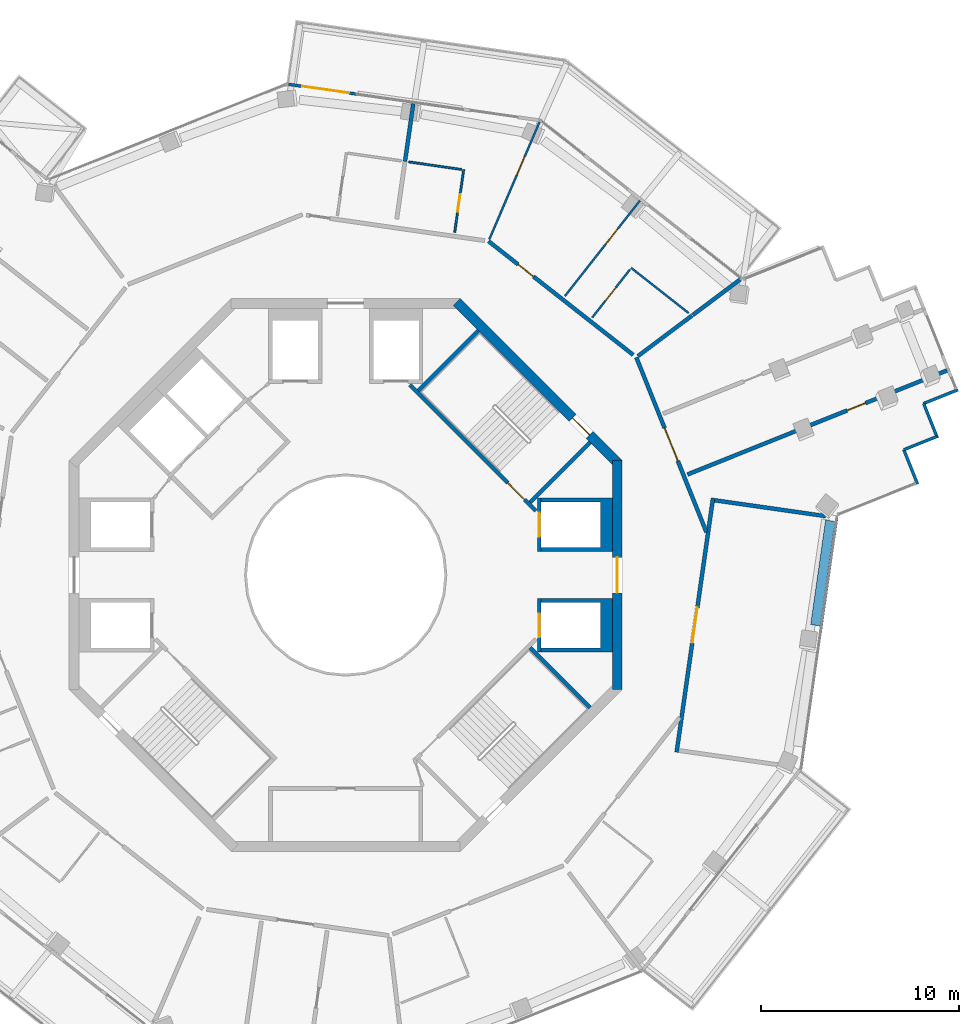
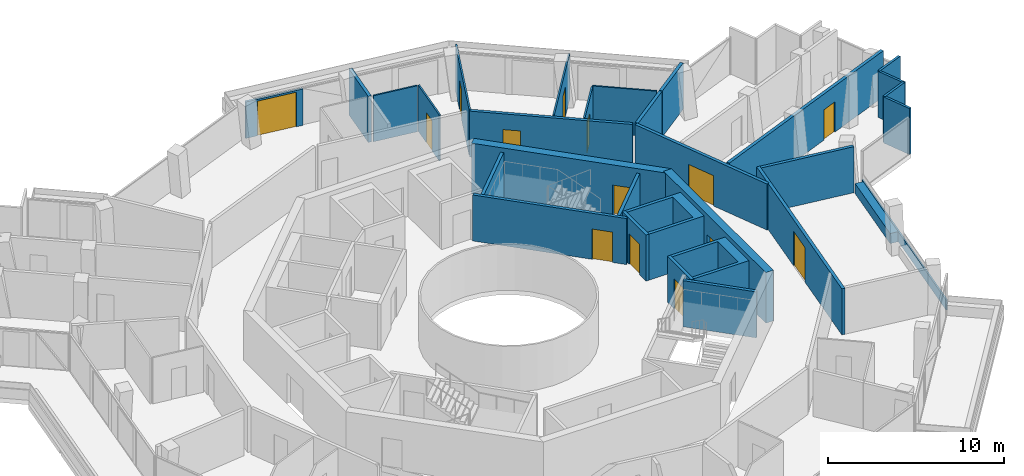
# One storey, part 19 of 23: 31 walls, 14 doors, 14 openings.
"""IFC4 building model written with IfcOpenShell, lengths in metres."""

from ifc_helpers import new_model, si_unit, direction, frame, frame_2d, origin, place, context, subcontext, project, spatial, polyline, rectangle, outline, extrude, material, layer, layer_set, type_object, element, fill, save


model = new_model("IFC4")

# Units and contexts
model_context = context("Model", 3, precision=1e-05, world=origin(), true_north=direction((0.0, 1.0)))
body_context = subcontext(model_context, "Body", "Model", "MODEL_VIEW")
ifc_project = project(units=[si_unit("LENGTHUNIT", "METRE"), si_unit("AREAUNIT", "SQUARE_METRE"), si_unit("VOLUMEUNIT", "CUBIC_METRE"), si_unit("PLANEANGLEUNIT", "RADIAN"), si_unit("MASSUNIT", "GRAM", prefix="KILO")], contexts=[model_context])

# Site, building, storey
site_placement = place(None, origin())
site = spatial("IfcSite", under=ifc_project, at=site_placement, CompositionType="ELEMENT")
building_placement = place(site_placement, origin())
building = spatial("IfcBuilding", under=site, at=building_placement, Name="Verdalira Terraces Hotel", CompositionType="ELEMENT")
storey_placement = place(building_placement, frame((0.0, 0.0, 244.5)))
storey = spatial("IfcBuildingStorey", under=building, at=storey_placement, Name="L60", CompositionType="ELEMENT", Elevation=244.5)

# Wall
ifc_material_1 = material(Name="Moisture-resistant gypsum board partition")
ifc_layer_1 = layer(ifc_material_1, 0.10009765625)
ifc_layer_set_1 = layer_set([ifc_layer_1], Name="Bathroom partition 100 mm")
wall_type_1 = type_object("IfcWallType", Name="Bathroom partition 100 mm", PredefinedType="PARTITIONING", material=ifc_layer_set_1)
wall_1_placement = place(storey_placement, frame((5.873779, 20.532471, 0.0), z_axis=(0.0, 0.0, 1.0), x_axis=(-0.989871579, 0.141965687, 0.0)))
element("IfcWall", 1, at=wall_1_placement, inside=storey, type_object=wall_type_1, Name="Bathroom partition", PredefinedType="PARTITIONING", context=body_context, shape_type="SweptSolid", body=[
    extrude(rectangle(XDim=2.699951, YDim=0.100098, at=frame_2d((1.350098, 0.0))), origin(), (0.0, 0.0, 1.0), 3.189941),
])

# Wall, opening, door
wall_2_placement = place(storey_placement, frame((5.518555, 17.350586, 0.0), z_axis=(0.0, 0.0, 1.0), x_axis=(0.141976729, 0.989869996, 0.0)))
wall_2 = element("IfcWall", 2, at=wall_2_placement, inside=storey, type_object=wall_type_1, Name="Bathroom partition", PredefinedType="PARTITIONING", context=body_context, shape_type="SweptSolid", body=[
    extrude(rectangle(XDim=3.200195, YDim=0.100098, at=frame_2d((1.600098, 0.0))), origin(), (0.0, 0.0, 1.0), 3.189941),
])
opening_1_placement = place(wall_2_placement, frame((1.050049, 0.0, 0.0)))
opening_1 = element("IfcOpeningElement", 3, at=opening_1_placement, cuts=wall_2, Name="Opening L60-126", PredefinedType="OPENING", context=body_context, shape_type="SweptSolid", body=[
    extrude(rectangle(XDim=0.899902, YDim=2.100098, at=frame_2d((0.449951, 1.050049))), frame((0.0, 0.060059, 0.0), z_axis=(0.0, -1.0, 0.0), x_axis=(1.0, 0.0, 0.0)), (0.0, 0.0, 1.0), 0.120117),
])
ifc_material_2 = material(Name="Timber door", Category="wood")
door_type_1 = type_object("IfcDoorType", Name="Bathroom door 900 x 2100", OperationType="NOTDEFINED", PredefinedType="DOOR", material=ifc_material_2)
door_1_placement = place(opening_1_placement, origin())
door_1 = element("IfcDoor", 4, at=door_1_placement, inside=storey, type_object=door_type_1, Name="Bathroom door 6009", OperationType="SINGLE_SWING_RIGHT", OverallHeight=2.10009765625, OverallWidth=0.89990234375, PredefinedType="DOOR", context=body_context, shape_type="SweptSolid", body=[
    extrude(rectangle(XDim=0.899902, YDim=2.100098, at=frame_2d((0.449951, 1.050049))), frame((0.0, 0.024902, 0.0), z_axis=(0.0, -1.0, 0.0), x_axis=(1.0, 0.0, 0.0)), (0.0, 0.0, 1.0), 0.050049),
])
fill(opening_1, door_1)

wall_3_placement = place(storey_placement, frame((7.271484, 16.998291, 0.0), z_axis=(0.0, 0.0, 1.0), x_axis=(0.393295843, 0.919411975, 0.0)))
wall_3 = element("IfcWall", 5, at=wall_3_placement, inside=storey, type_object=wall_type_1, Name="Bathroom partition", PredefinedType="PARTITIONING", context=body_context, shape_type="SweptSolid", body=[
    extrude(rectangle(XDim=6.47583, YDim=0.100098, at=frame_2d((3.237793, 0.0))), origin(), (0.0, 0.0, 1.0), 3.189941),
])
opening_2_placement = place(wall_3_placement, frame((3.550049, 0.0, 0.0)))
opening_2 = element("IfcOpeningElement", 6, at=opening_2_placement, cuts=wall_3, Name="Opening L60-124", PredefinedType="OPENING", context=body_context, shape_type="SweptSolid", body=[
    extrude(rectangle(XDim=1.0, YDim=2.100098, at=frame_2d((0.5, 1.050049))), frame((0.0, 0.060059, 0.0), z_axis=(0.0, -1.0, 0.0), x_axis=(1.0, 0.0, 0.0)), (0.0, 0.0, 1.0), 0.120117),
])
ifc_material_3 = material(Name="Timber door", Category="wood")
door_type_2 = type_object("IfcDoorType", Name="Suite internal door 1000 x 2100", OperationType="NOTDEFINED", PredefinedType="DOOR", material=ifc_material_3)
door_2_placement = place(opening_2_placement, origin())
door_2 = element("IfcDoor", 7, at=door_2_placement, inside=storey, type_object=door_type_2, Name="Suite internal door 6009", OperationType="SINGLE_SWING_LEFT", OverallHeight=2.10009765625, OverallWidth=1.0, PredefinedType="DOOR", context=body_context, shape_type="SweptSolid", body=[
    extrude(rectangle(XDim=1.0, YDim=2.100098, at=frame_2d((0.5, 1.050049))), frame((0.0, 0.024902, 0.0), z_axis=(0.0, -1.0, 0.0), x_axis=(1.0, 0.0, 0.0)), (0.0, 0.0, 1.0), 0.050049),
])
fill(opening_2, door_2)

wall_4_placement = place(storey_placement, frame((14.895508, 18.956055, 0.0), z_axis=(0.0, 0.0, 1.0), x_axis=(-0.617854862, -0.786292165, 0.0)))
wall_4 = element("IfcWall", 8, at=wall_4_placement, inside=storey, type_object=wall_type_1, Name="Bathroom partition", PredefinedType="PARTITIONING", context=body_context, shape_type="SweptSolid", body=[
    extrude(rectangle(XDim=6.149902, YDim=0.100098, at=frame_2d((3.074951, 0.0))), origin(), (0.0, 0.0, 1.0), 3.189941),
])
opening_3_placement = place(wall_4_placement, frame((1.800049, 0.0, 0.0)))
opening_3 = element("IfcOpeningElement", 9, at=opening_3_placement, cuts=wall_4, Name="Opening L60-123", PredefinedType="OPENING", context=body_context, shape_type="SweptSolid", body=[
    extrude(rectangle(XDim=1.0, YDim=2.100098, at=frame_2d((0.5, 1.050049))), frame((0.0, 0.060059, 0.0), z_axis=(0.0, -1.0, 0.0), x_axis=(1.0, 0.0, 0.0)), (0.0, 0.0, 1.0), 0.120117),
])
door_3_placement = place(opening_3_placement, origin())
door_3 = element("IfcDoor", 10, at=door_3_placement, inside=storey, type_object=door_type_2, Name="Suite internal door 6009", OperationType="SINGLE_SWING_LEFT", OverallHeight=2.10009765625, OverallWidth=1.0, PredefinedType="DOOR", context=body_context, shape_type="SweptSolid", body=[
    extrude(rectangle(XDim=1.0, YDim=2.100098, at=frame_2d((0.5, 1.050049))), frame((0.0, 0.024902, 0.0), z_axis=(0.0, -1.0, 0.0), x_axis=(1.0, 0.0, 0.0)), (0.0, 0.0, 1.0), 0.050049),
])
fill(opening_3, door_3)

wall_5_placement = place(storey_placement, frame((14.393555, 15.471436, 0.0), z_axis=(0.0, 0.0, 1.0), x_axis=(-0.617842421, -0.786301941, 0.0)))
wall_5 = element("IfcWall", 11, at=wall_5_placement, inside=storey, type_object=wall_type_1, Name="Bathroom partition", PredefinedType="PARTITIONING", context=body_context, shape_type="SweptSolid", body=[
    extrude(rectangle(XDim=3.099854, YDim=0.100098, at=frame_2d((1.549805, 0.0))), origin(), (0.0, 0.0, 1.0), 3.189941),
])
opening_4_placement = place(wall_5_placement, frame((1.149902, 0.0, 0.0)))
opening_4 = element("IfcOpeningElement", 12, at=opening_4_placement, cuts=wall_5, Name="Opening L60-125", PredefinedType="OPENING", context=body_context, shape_type="SweptSolid", body=[
    extrude(rectangle(XDim=0.899902, YDim=2.100098, at=frame_2d((0.449951, 1.050049))), frame((0.0, 0.060059, 0.0), z_axis=(0.0, -1.0, 0.0), x_axis=(1.0, 0.0, 0.0)), (0.0, 0.0, 1.0), 0.120117),
])
door_4_placement = place(opening_4_placement, origin())
door_4 = element("IfcDoor", 13, at=door_4_placement, inside=storey, type_object=door_type_1, Name="Bathroom door 6009", OperationType="SINGLE_SWING_LEFT", OverallHeight=2.10009765625, OverallWidth=0.89990234375, PredefinedType="DOOR", context=body_context, shape_type="SweptSolid", body=[
    extrude(rectangle(XDim=0.899902, YDim=2.100098, at=frame_2d((0.449951, 1.050049))), frame((0.0, 0.024902, 0.0), z_axis=(0.0, -1.0, 0.0), x_axis=(1.0, 0.0, 0.0)), (0.0, 0.0, 1.0), 0.050049),
])
fill(opening_4, door_4)

# Walls
wall_6_placement = place(storey_placement, frame((17.36792, 13.261719, 0.0), z_axis=(0.0, 0.0, 1.0), x_axis=(-0.786336636, 0.617798264, 0.0)))
element("IfcWall", 14, at=wall_6_placement, inside=storey, type_object=wall_type_1, Name="Bathroom partition", PredefinedType="PARTITIONING", context=body_context, shape_type="SweptSolid", body=[
    extrude(rectangle(XDim=3.704102, YDim=0.100098, at=frame_2d((1.852051, 0.0))), origin(), (0.0, 0.0, 1.0), 3.189941),
])
ifc_material_4 = material(Name="Concrete C50", Category="concrete")
ifc_layer_2 = layer(ifc_material_4, 0.199951171875)
ifc_layer_set_2 = layer_set([ifc_layer_2], Name="Core RC wall 200 C50")
wall_type_2 = type_object("IfcWallType", Name="Core RC wall 200 C50", PredefinedType="SOLIDWALL", material=ifc_layer_set_2)
wall_7_placement = place(storey_placement, origin())
element("IfcWall", 15, at=wall_7_placement, inside=storey, type_object=wall_type_2, Name="L60 shaft wall E1", PredefinedType="SOLIDWALL", context=body_context, shape_type="SweptSolid", body=[
    extrude(outline(polyline([(13.5, -3.899902), (9.899902, -3.899902), (9.899902, -3.699951), (12.899902, -3.699951), (12.899902, -1.399902), (9.899902, -1.399902), (9.899902, -1.199951), (13.5, -1.199951), (13.5, -3.899902)])), origin(), (0.0, 0.0, 1.0), 3.189941),
])

# Wall, opening, door
wall_8_placement = place(storey_placement, frame((9.800049, -1.199951, 0.0), z_axis=(0.0, 0.0, 1.0), x_axis=(0.0, -1.0, 0.0)))
wall_8 = element("IfcWall", 16, at=wall_8_placement, inside=storey, type_object=wall_type_2, Name="L60 shaft front wall E1", PredefinedType="SOLIDWALL", context=body_context, shape_type="SweptSolid", body=[
    extrude(rectangle(XDim=2.699951, YDim=0.199951, at=frame_2d((1.350098, 0.0))), origin(), (0.0, 0.0, 1.0), 3.189941),
])
opening_5_placement = place(wall_8_placement, frame((0.75, 0.0, 0.0)))
opening_5 = element("IfcOpeningElement", 17, at=opening_5_placement, cuts=wall_8, Name="Opening LD-L60-802", PredefinedType="OPENING", context=body_context, shape_type="SweptSolid", body=[
    extrude(rectangle(XDim=1.199951, YDim=2.100098, at=frame_2d((0.600098, 1.050049))), frame((0.0, 0.109863, 0.0), z_axis=(0.0, -1.0, 0.0), x_axis=(1.0, 0.0, 0.0)), (0.0, 0.0, 1.0), 0.219971),
])
ifc_material_5 = material(Name="Stainless steel", Category="steel")
door_type_3 = type_object("IfcDoorType", Name="Landing door 1200 x 2100", OperationType="NOTDEFINED", PredefinedType="DOOR", material=ifc_material_5)
door_5_placement = place(opening_5_placement, origin())
door_5 = element("IfcDoor", 18, at=door_5_placement, inside=storey, type_object=door_type_3, Name="Lift landing door HR1 L60", OperationType="DOUBLE_DOOR_SLIDING", OverallHeight=2.10009765625, OverallWidth=1.199951171875, PredefinedType="DOOR", context=body_context, shape_type="SweptSolid", body=[
    extrude(rectangle(XDim=1.199951, YDim=2.100098, at=frame_2d((0.600098, 1.050049))), frame((0.0, 0.024902, 0.0), z_axis=(0.0, -1.0, 0.0), x_axis=(1.0, 0.0, 0.0)), (0.0, 0.0, 1.0), 0.050049),
])
fill(opening_5, door_5)

# Wall
wall_9_placement = place(storey_placement, origin())
element("IfcWall", 19, at=wall_9_placement, inside=storey, type_object=wall_type_2, Name="L60 shaft wall E2", PredefinedType="SOLIDWALL", context=body_context, shape_type="SweptSolid", body=[
    extrude(outline(polyline([(13.5, 3.899902), (13.5, 1.199951), (9.899902, 1.199951), (9.899902, 1.399902), (12.899902, 1.399902), (12.899902, 3.699951), (9.899902, 3.699951), (9.899902, 3.899902), (13.5, 3.899902)])), origin(), (0.0, 0.0, 1.0), 3.189941),
])

# Wall, opening, door
wall_10_placement = place(storey_placement, frame((9.800049, 1.199951, 0.0), z_axis=(0.0, 0.0, 1.0), x_axis=(0.0, 1.0, 0.0)))
wall_10 = element("IfcWall", 20, at=wall_10_placement, inside=storey, type_object=wall_type_2, Name="L60 shaft front wall E2", PredefinedType="SOLIDWALL", context=body_context, shape_type="SweptSolid", body=[
    extrude(rectangle(XDim=2.699951, YDim=0.199951, at=frame_2d((1.350098, 0.0))), origin(), (0.0, 0.0, 1.0), 3.189941),
])
opening_6_placement = place(wall_10_placement, frame((0.75, 0.0, 0.0)))
opening_6 = element("IfcOpeningElement", 21, at=opening_6_placement, cuts=wall_10, Name="Opening LD-L60-803", PredefinedType="OPENING", context=body_context, shape_type="SweptSolid", body=[
    extrude(rectangle(XDim=1.199951, YDim=2.100098, at=frame_2d((0.600098, 1.050049))), frame((0.0, 0.109863, 0.0), z_axis=(0.0, -1.0, 0.0), x_axis=(1.0, 0.0, 0.0)), (0.0, 0.0, 1.0), 0.219971),
])
door_6_placement = place(opening_6_placement, origin())
door_6 = element("IfcDoor", 22, at=door_6_placement, inside=storey, type_object=door_type_3, Name="Lift landing door HR2 L60", OperationType="DOUBLE_DOOR_SLIDING", OverallHeight=2.10009765625, OverallWidth=1.199951171875, PredefinedType="DOOR", context=body_context, shape_type="SweptSolid", body=[
    extrude(rectangle(XDim=1.199951, YDim=2.100098, at=frame_2d((0.600098, 1.050049))), frame((0.0, 0.024902, 0.0), z_axis=(0.0, -1.0, 0.0), x_axis=(1.0, 0.0, 0.0)), (0.0, 0.0, 1.0), 0.050049),
])
fill(opening_6, door_6)

wall_11_placement = place(storey_placement, frame((3.23999, 9.629395, 0.0), z_axis=(0.0, 0.0, 1.0), x_axis=(0.707106781, -0.707106781, 0.0)))
wall_11 = element("IfcWall", 23, at=wall_11_placement, inside=storey, type_object=wall_type_2, Name="L60 stair ST1 front wall", PredefinedType="SOLIDWALL", context=body_context, shape_type="SweptSolid", body=[
    extrude(rectangle(XDim=9.035889, YDim=0.199951, at=frame_2d((4.518066, 0.0))), origin(), (0.0, 0.0, 1.0), 3.189941),
])
opening_7_placement = place(wall_11_placement, frame((7.017822, 0.0, 0.0)))
opening_7 = element("IfcOpeningElement", 24, at=opening_7_placement, cuts=wall_11, Name="Opening L60-810", PredefinedType="OPENING", context=body_context, shape_type="SweptSolid", body=[
    extrude(rectangle(XDim=1.199951, YDim=2.100098, at=frame_2d((0.600098, 1.050049))), frame((0.0, 0.109863, 0.0), z_axis=(0.0, -1.0, 0.0), x_axis=(1.0, 0.0, 0.0)), (0.0, 0.0, 1.0), 0.219971),
])
ifc_material_6 = material(Name="Steel fire door", Category="steel")
door_type_4 = type_object("IfcDoorType", Name="Stair door 1200 x 2100", OperationType="NOTDEFINED", PredefinedType="DOOR", material=ifc_material_6)
door_7_placement = place(opening_7_placement, origin())
door_7 = element("IfcDoor", 25, at=door_7_placement, inside=storey, type_object=door_type_4, Name="Stair door ST1 L60", OperationType="SINGLE_SWING_RIGHT", OverallHeight=2.10009765625, OverallWidth=1.199951171875, PredefinedType="DOOR", context=body_context, shape_type="SweptSolid", body=[
    extrude(rectangle(XDim=1.199951, YDim=2.100098, at=frame_2d((0.600098, 1.050049))), frame((0.0, 0.024902, 0.0), z_axis=(0.0, -1.0, 0.0), x_axis=(1.0, 0.0, 0.0)), (0.0, 0.0, 1.0), 0.050049),
])
fill(opening_7, door_7)

# Walls
for number, where, z_axis, x_axis, name in (
    (26, (9.33374, 3.677002, 0.0), (0.0, 0.0, 1.0), (0.707135168, 0.707078393, 0.0), "L60 stair ST1 end wall 1"),
    (27, (3.677002, 9.33374, 0.0), (0.0, 0.0, 1.0), (0.707078393, 0.707135168, 0.0), "L60 stair ST1 end wall 2"),
    (28, (9.33374, -3.677002, 0.0), (0.0, 0.0, 1.0), (0.707135168, -0.707078393, 0.0), "L60 stair ST3 end wall 2"),
):
    element("IfcWall", number, at=place(storey_placement, frame(where, z_axis=z_axis, x_axis=x_axis)), inside=storey, type_object=wall_type_2, Name=name, PredefinedType="SOLIDWALL", context=body_context, shape_type="SweptSolid", body=[
        extrude(rectangle(XDim=4.300049, YDim=0.199951, at=frame_2d((2.149902, 0.0))), origin(), (0.0, 0.0, 1.0), 3.189941),
    ])

# Wall, opening, door
ifc_material_7 = material(Name="Concrete C50", Category="concrete")
ifc_layer_3 = layer(ifc_material_7, 0.5)
ifc_layer_set_3 = layer_set([ifc_layer_3], Name="Core wall 500 C50")
wall_type_3 = type_object("IfcWallType", Name="Core wall 500 C50", PredefinedType="SHEAR", material=ifc_layer_set_3)
wall_12_placement = place(storey_placement, frame((13.75, -5.799072, 0.0), z_axis=(0.0, 0.0, 1.0), x_axis=(0.0, 1.0, 0.0)))
wall_12 = element("IfcWall", 29, at=wall_12_placement, inside=storey, type_object=wall_type_3, Name="Core wall CW-L60-1", PredefinedType="SHEAR", context=body_context, shape_type="SweptSolid", body=[
    extrude(rectangle(XDim=11.598145, YDim=0.5, at=frame_2d((5.799072, 0.0))), origin(), (0.0, 0.0, 1.0), 3.5),
])
opening_8_placement = place(wall_12_placement, frame((4.898926, 0.0, 0.0)))
opening_8 = element("IfcOpeningElement", 30, at=opening_8_placement, cuts=wall_12, Name="Opening L60-813", PredefinedType="OPENING", context=body_context, shape_type="SweptSolid", body=[
    extrude(rectangle(XDim=1.800049, YDim=2.100098, at=frame_2d((0.899902, 1.050049))), frame((0.0, 0.26001, 0.0), z_axis=(0.0, -1.0, 0.0), x_axis=(1.0, 0.0, 0.0)), (0.0, 0.0, 1.0), 0.52002),
])
ifc_material_8 = material(Name="Steel fire door", Category="steel")
door_type_5 = type_object("IfcDoorType", Name="Core entry door pair 1800 x 2100", OperationType="NOTDEFINED", PredefinedType="DOOR", material=ifc_material_8)
door_8_placement = place(opening_8_placement, origin())
door_8 = element("IfcDoor", 31, at=door_8_placement, inside=storey, type_object=door_type_5, Name="Core entry door L60 0", OperationType="DOUBLE_DOOR_SINGLE_SWING", OverallHeight=2.10009765625, OverallWidth=1.800048828125, PredefinedType="DOOR", context=body_context, shape_type="SweptSolid", body=[
    extrude(rectangle(XDim=1.800049, YDim=2.100098, at=frame_2d((0.899902, 1.050049))), frame((0.0, 0.024902, 0.0), z_axis=(0.0, -1.0, 0.0), x_axis=(1.0, 0.0, 0.0)), (0.0, 0.0, 1.0), 0.050049),
])
fill(opening_8, door_8)

wall_13_placement = place(storey_placement, frame((13.823242, 5.622314, 0.0), z_axis=(0.0, 0.0, 1.0), x_axis=(-0.707106781, 0.707106781, 0.0)))
wall_13 = element("IfcWall", 32, at=wall_13_placement, inside=storey, type_object=wall_type_3, Name="Core wall CW-L60-2", PredefinedType="SHEAR", context=body_context, shape_type="SweptSolid", body=[
    extrude(rectangle(XDim=11.5979, YDim=0.5, at=frame_2d((5.798828, 0.0))), origin(), (0.0, 0.0, 1.0), 3.5),
])
opening_9_placement = place(wall_13_placement, frame((2.099121, 0.0, 0.0)))
opening_9 = element("IfcOpeningElement", 33, at=opening_9_placement, cuts=wall_13, Name="Opening L60-816", PredefinedType="OPENING", context=body_context, shape_type="SweptSolid", body=[
    extrude(rectangle(XDim=1.199951, YDim=2.100098, at=frame_2d((0.600098, 1.050049))), frame((0.0, 0.26001, 0.0), z_axis=(0.0, -1.0, 0.0), x_axis=(1.0, 0.0, 0.0)), (0.0, 0.0, 1.0), 0.52002),
])
door_9_placement = place(opening_9_placement, origin())
door_9 = element("IfcDoor", 34, at=door_9_placement, inside=storey, type_object=door_type_4, Name="Stair exit door ST1 L60", OperationType="SINGLE_SWING_LEFT", OverallHeight=2.10009765625, OverallWidth=1.199951171875, PredefinedType="DOOR", context=body_context, shape_type="SweptSolid", body=[
    extrude(rectangle(XDim=1.199951, YDim=2.100098, at=frame_2d((0.600098, 1.050049))), frame((0.0, 0.024902, 0.0), z_axis=(0.0, -1.0, 0.0), x_axis=(1.0, 0.0, 0.0)), (0.0, 0.0, 1.0), 0.050049),
])
fill(opening_9, door_9)

# Walls
ifc_material_9 = material(Name="Fire-rated gypsum board wall")
ifc_layer_4 = layer(ifc_material_9, 0.199951171875)
ifc_layer_set_4 = layer_set([ifc_layer_4], Name="Demising wall 200 mm")
wall_type_4 = type_object("IfcWallType", Name="Demising wall 200 mm", PredefinedType="SOLIDWALL", material=ifc_layer_set_4)
wall_14_placement = place(storey_placement, frame((3.003174, 20.944092, 0.0), z_axis=(0.0, 0.0, 1.0), x_axis=(0.141931131, 0.989876535, 0.0)))
element("IfcWall", 35, at=wall_14_placement, inside=storey, type_object=wall_type_4, Name="Demising wall", PredefinedType="SOLIDWALL", context=body_context, shape_type="SweptSolid", body=[
    extrude(rectangle(XDim=2.949951, YDim=0.199951, at=frame_2d((1.475098, 0.0))), origin(), (0.0, 0.0, 1.0), 3.189941),
])
wall_15_placement = place(storey_placement, frame((14.796387, 11.085205, 0.0), z_axis=(0.0, 0.0, 1.0), x_axis=(0.800291284, 0.599611424, 0.0)))
element("IfcWall", 36, at=wall_15_placement, inside=storey, type_object=wall_type_4, Name="Demising wall", PredefinedType="SOLIDWALL", context=body_context, shape_type="SweptSolid", body=[
    extrude(rectangle(XDim=3.418457, YDim=0.199951, at=frame_2d((1.709229, 0.0))), origin(), (0.0, 0.0, 1.0), 3.189941),
])
wall_16_placement = place(storey_placement, frame((17.569092, 13.162354, 0.0), z_axis=(0.0, 0.0, 1.0), x_axis=(0.800282049, 0.59962375, 0.0)))
element("IfcWall", 37, at=wall_16_placement, inside=storey, type_object=wall_type_4, Name="Demising wall", PredefinedType="SOLIDWALL", context=body_context, shape_type="SweptSolid", body=[
    extrude(rectangle(XDim=3.01123, YDim=0.199951, at=frame_2d((1.505615, 0.0))), origin(), (0.0, 0.0, 1.0), 3.189941),
])

# Wall, opening, door
wall_17_placement = place(storey_placement, frame((30.450195, 10.36084, 0.0), z_axis=(0.0, 0.0, 1.0), x_axis=(-0.928224405, -0.37202077, 0.0)))
wall_17 = element("IfcWall", 38, at=wall_17_placement, inside=storey, type_object=wall_type_4, Name="Demising wall", PredefinedType="SOLIDWALL", context=body_context, shape_type="SweptSolid", body=[
    extrude(rectangle(XDim=14.160645, YDim=0.199951, at=frame_2d((7.080322, 0.0))), origin(), (0.0, 0.0, 1.0), 3.189941),
])
opening_10_placement = place(wall_17_placement, frame((4.449951, 0.0, 0.0)))
opening_10 = element("IfcOpeningElement", 39, at=opening_10_placement, cuts=wall_17, Name="Opening L60-120", PredefinedType="OPENING", context=body_context, shape_type="SweptSolid", body=[
    extrude(rectangle(XDim=1.0, YDim=2.100098, at=frame_2d((0.5, 1.050049))), frame((0.0, 0.109863, 0.0), z_axis=(0.0, -1.0, 0.0), x_axis=(1.0, 0.0, 0.0)), (0.0, 0.0, 1.0), 0.219971),
])
ifc_material_10 = material(Name="Timber fire door", Category="wood")
door_type_6 = type_object("IfcDoorType", Name="Public room door 1000 x 2100", OperationType="NOTDEFINED", PredefinedType="DOOR", material=ifc_material_10)
door_10_placement = place(opening_10_placement, origin())
door_10 = element("IfcDoor", 40, at=door_10_placement, inside=storey, type_object=door_type_6, Name="Public room door 6008", OperationType="SINGLE_SWING_LEFT", OverallHeight=2.10009765625, OverallWidth=1.0, PredefinedType="DOOR", context=body_context, shape_type="SweptSolid", body=[
    extrude(rectangle(XDim=1.0, YDim=2.100098, at=frame_2d((0.5, 1.050049))), frame((0.0, 0.024902, 0.0), z_axis=(0.0, -1.0, 0.0), x_axis=(1.0, 0.0, 0.0)), (0.0, 0.0, 1.0), 0.050049),
])
fill(opening_10, door_10)

ifc_material_11 = material(Name="Fire-rated gypsum board wall")
ifc_layer_5 = layer(ifc_material_11, 0.199951171875)
ifc_layer_set_5 = layer_set([ifc_layer_5], Name="Guest corridor wall 200 mm")
wall_type_5 = type_object("IfcWallType", Name="Guest corridor wall 200 mm", PredefinedType="SOLIDWALL", material=ifc_layer_set_5)
wall_18_placement = place(storey_placement, frame((7.230713, 16.903076, 0.0), z_axis=(0.0, 0.0, 1.0), x_axis=(0.786294696, -0.617851641, 0.0)))
wall_18 = element("IfcWall", 41, at=wall_18_placement, inside=storey, type_object=wall_type_5, Name="Guest corridor wall", PredefinedType="SOLIDWALL", context=body_context, shape_type="SweptSolid", body=[
    extrude(rectangle(XDim=9.31665, YDim=0.199951, at=frame_2d((4.658203, 0.0))), origin(), (0.0, 0.0, 1.0), 3.189941),
])
opening_11_placement = place(wall_18_placement, frame((1.899902, 0.0, 0.0)))
opening_11 = element("IfcOpeningElement", 42, at=opening_11_placement, cuts=wall_18, Name="Opening L60-122", PredefinedType="OPENING", context=body_context, shape_type="SweptSolid", body=[
    extrude(rectangle(XDim=1.0, YDim=2.100098, at=frame_2d((0.5, 1.050049))), frame((0.0, 0.109863, 0.0), z_axis=(0.0, -1.0, 0.0), x_axis=(1.0, 0.0, 0.0)), (0.0, 0.0, 1.0), 0.219971),
])
ifc_material_12 = material(Name="Timber fire door", Category="wood")
door_type_7 = type_object("IfcDoorType", Name="Guest entry door 1000 x 2100", OperationType="NOTDEFINED", PredefinedType="DOOR", material=ifc_material_12)
door_11_placement = place(opening_11_placement, origin())
door_11 = element("IfcDoor", 43, at=door_11_placement, inside=storey, type_object=door_type_7, Name="Guest entry door 6009", OperationType="SINGLE_SWING_LEFT", OverallHeight=2.10009765625, OverallWidth=1.0, PredefinedType="DOOR", context=body_context, shape_type="SweptSolid", body=[
    extrude(rectangle(XDim=1.0, YDim=2.100098, at=frame_2d((0.5, 1.050049))), frame((0.0, 0.024902, 0.0), z_axis=(0.0, -1.0, 0.0), x_axis=(1.0, 0.0, 0.0)), (0.0, 0.0, 1.0), 0.050049),
])
fill(opening_11, door_11)

wall_19_placement = place(storey_placement, frame((14.713623, 11.023193, 0.0), z_axis=(0.0, 0.0, 1.0), x_axis=(0.372017347, -0.928225777, 0.0)))
wall_19 = element("IfcWall", 44, at=wall_19_placement, inside=storey, type_object=wall_type_5, Name="Guest corridor wall", PredefinedType="SOLIDWALL", context=body_context, shape_type="SweptSolid", body=[
    extrude(rectangle(XDim=9.536865, YDim=0.199951, at=frame_2d((4.768555, 0.0))), origin(), (0.0, 0.0, 1.0), 3.189941),
])
opening_12_placement = place(wall_19_placement, frame((3.854248, 0.0, 0.0)))
opening_12 = element("IfcOpeningElement", 45, at=opening_12_placement, cuts=wall_19, Name="Opening L60-119", PredefinedType="OPENING", context=body_context, shape_type="SweptSolid", body=[
    extrude(rectangle(XDim=1.800049, YDim=2.100098, at=frame_2d((0.899902, 1.050049))), frame((0.0, 0.109863, 0.0), z_axis=(0.0, -1.0, 0.0), x_axis=(1.0, 0.0, 0.0)), (0.0, 0.0, 1.0), 0.219971),
])
ifc_material_13 = material(Name="Timber fire door", Category="wood")
door_type_8 = type_object("IfcDoorType", Name="Public room double door 1800 x 2100", OperationType="NOTDEFINED", PredefinedType="DOOR", material=ifc_material_13)
door_12_placement = place(opening_12_placement, origin())
door_12 = element("IfcDoor", 46, at=door_12_placement, inside=storey, type_object=door_type_8, Name="Public room double door 6008", OperationType="DOUBLE_DOOR_SINGLE_SWING", OverallHeight=2.10009765625, OverallWidth=1.800048828125, PredefinedType="DOOR", context=body_context, shape_type="SweptSolid", body=[
    extrude(rectangle(XDim=1.800049, YDim=2.100098, at=frame_2d((0.899902, 1.050049))), frame((0.0, 0.024902, 0.0), z_axis=(0.0, -1.0, 0.0), x_axis=(1.0, 0.0, 0.0)), (0.0, 0.0, 1.0), 0.050049),
])
fill(opening_12, door_12)

ifc_material_14 = material(Name="Terracotta cladding", Category="masonry")
ifc_layer_6 = layer(ifc_material_14, 0.199951171875)
ifc_layer_set_6 = layer_set([ifc_layer_6], Name="Loggia back wall 200")
wall_type_6 = type_object("IfcWallType", Name="Loggia back wall 200", PredefinedType="SOLIDWALL", material=ifc_layer_set_6)
wall_20_placement = place(storey_placement, frame((18.600098, 3.899414, 0.0), z_axis=(0.0, 0.0, 1.0), x_axis=(-0.141939289, -0.989875365, 0.0)))
wall_20 = element("IfcWall", 47, at=wall_20_placement, inside=storey, type_object=wall_type_6, Name="Loggia back wall", PredefinedType="SOLIDWALL", context=body_context, shape_type="SweptSolid", body=[
    extrude(rectangle(XDim=13.0, YDim=0.199951, at=frame_2d((6.5, 0.0))), origin(), (0.0, 0.0, 1.0), 3.189941),
])
opening_13_placement = place(wall_20_placement, frame((5.600098, 0.0, 0.0)))
opening_13 = element("IfcOpeningElement", 48, at=opening_13_placement, cuts=wall_20, Name="Opening L60-L01", PredefinedType="OPENING", context=body_context, shape_type="SweptSolid", body=[
    extrude(rectangle(XDim=1.800049, YDim=2.399902, at=frame_2d((0.899902, 1.199951))), frame((0.0, 0.109863, 0.0), z_axis=(0.0, -1.0, 0.0), x_axis=(1.0, 0.0, 0.0)), (0.0, 0.0, 1.0), 0.219971),
])
ifc_material_15 = material(Name="Clear glass", Category="glass")
door_type_9 = type_object("IfcDoorType", Name="Garden double door 1800x2400", OperationType="NOTDEFINED", PredefinedType="DOOR", material=ifc_material_15)
door_13_placement = place(opening_13_placement, origin())
door_13 = element("IfcDoor", 49, at=door_13_placement, inside=storey, type_object=door_type_9, Name="Loggia double door", OperationType="DOUBLE_DOOR_SINGLE_SWING", OverallHeight=2.39990234375, OverallWidth=1.800048828125, PredefinedType="DOOR", context=body_context, shape_type="SweptSolid", body=[
    extrude(rectangle(XDim=1.800049, YDim=2.399902, at=frame_2d((0.899902, 1.199951))), frame((0.0, 0.024902, 0.0), z_axis=(0.0, -1.0, 0.0), x_axis=(1.0, 0.0, 0.0)), (0.0, 0.0, 1.0), 0.050049),
])
fill(opening_13, door_13)

# Walls
wall_21_placement = place(storey_placement, frame((24.300781, 2.980957, 0.0), z_axis=(0.0, 0.0, 1.0), x_axis=(-0.989877933, 0.141921377, 0.0)))
element("IfcWall", 50, at=wall_21_placement, inside=storey, type_object=wall_type_6, Name="Loggia side wall", PredefinedType="SOLIDWALL", context=body_context, shape_type="SweptSolid", body=[
    extrude(rectangle(XDim=5.67334, YDim=0.199951, at=frame_2d((2.83667, 0.0))), origin(), (0.0, 0.0, 1.0), 3.189941),
])
ifc_material_16 = material(Name="Concrete C40", Category="concrete")
ifc_layer_7 = layer(ifc_material_16, 0.5)
ifc_layer_set_7 = layer_set([ifc_layer_7], Name="Loggia planter trough with tree")
wall_type_7 = type_object("IfcWallType", Name="Loggia planter trough with tree", PredefinedType="SOLIDWALL", material=ifc_layer_set_7)
wall_22_placement = place(storey_placement, frame((23.788574, -2.541016, 0.0), z_axis=(0.0, 0.0, 1.0), x_axis=(0.141946318, 0.989874357, 0.0)))
element("IfcWall", 51, at=wall_22_placement, inside=storey, type_object=wall_type_7, Name="Loggia planter", PredefinedType="SOLIDWALL", context=body_context, shape_type="SweptSolid", body=[
    extrude(rectangle(XDim=5.338623, YDim=0.5, at=frame_2d((2.669434, 0.0))), origin(), (0.0, 0.0, 1.0), 0.699951),
])
ifc_material_17 = material(Name="Concrete C40", Category="concrete")
ifc_layer_8 = layer(ifc_material_17, 0.10009765625)
ifc_layer_set_8 = layer_set([ifc_layer_8], Name="Loggia upstand 100")
wall_type_8 = type_object("IfcWallType", Name="Loggia upstand 100", PredefinedType="SOLIDWALL", material=ifc_layer_set_8)
wall_23_placement = place(storey_placement, frame((23.052002, -9.791016, 0.0), z_axis=(0.0, 0.0, 1.0), x_axis=(0.141940422, 0.989875202, 0.0)))
element("IfcWall", 52, at=wall_23_placement, inside=storey, type_object=wall_type_8, Name="Loggia upstand", PredefinedType="SOLIDWALL", context=body_context, shape_type="SweptSolid", body=[
    extrude(rectangle(XDim=12.839844, YDim=0.100098, at=frame_2d((6.419922, 0.0))), origin(), (0.0, 0.0, 1.0), 0.699951),
])
ifc_material_18 = material(Name="Terracotta cladding", Category="masonry")
ifc_layer_9 = layer(ifc_material_18, 0.14990234375)
ifc_layer_set_9 = layer_set([ifc_layer_9], Name="Terracotta clad wall 150")
wall_type_9 = type_object("IfcWallType", Name="Terracotta clad wall 150", PredefinedType="SOLIDWALL", material=ifc_layer_set_9)
wall_24_placement = place(storey_placement, frame((28.959961, 4.604004, 0.0), z_axis=(0.0, 0.0, 1.0), x_axis=(-0.371996726, 0.928234042, 0.0)))
element("IfcWall", 53, at=wall_24_placement, inside=storey, type_object=wall_type_9, Name="Terracotta cladding wall", PredefinedType="SOLIDWALL", context=body_context, shape_type="SweptSolid", body=[
    extrude(rectangle(XDim=1.875, YDim=0.149902, at=frame_2d((0.9375, 0.0))), origin(), (0.0, 0.0, 1.0), 3.189941),
])
wall_25_placement = place(storey_placement, frame((28.262451, 6.344482, 0.0), z_axis=(0.0, 0.0, 1.0), x_axis=(0.928223931, 0.372021953, 0.0)))
element("IfcWall", 54, at=wall_25_placement, inside=storey, type_object=wall_type_9, Name="Terracotta cladding wall", PredefinedType="SOLIDWALL", context=body_context, shape_type="SweptSolid", body=[
    extrude(rectangle(XDim=1.800049, YDim=0.149902, at=frame_2d((0.899902, 0.0))), origin(), (0.0, 0.0, 1.0), 3.189941),
])
wall_26_placement = place(storey_placement, frame((29.961182, 6.94458, 0.0), z_axis=(0.0, 0.0, 1.0), x_axis=(-0.372041691, 0.92821602, 0.0)))
element("IfcWall", 55, at=wall_26_placement, inside=storey, type_object=wall_type_9, Name="Terracotta cladding wall", PredefinedType="SOLIDWALL", context=body_context, shape_type="SweptSolid", body=[
    extrude(rectangle(XDim=1.874756, YDim=0.149902, at=frame_2d((0.9375, 0.0))), origin(), (0.0, 0.0, 1.0), 3.189941),
])
wall_27_placement = place(storey_placement, frame((29.263672, 8.684814, 0.0), z_axis=(0.0, 0.0, 1.0), x_axis=(0.928234042, 0.371996726, 0.0)))
element("IfcWall", 56, at=wall_27_placement, inside=storey, type_object=wall_type_9, Name="Terracotta cladding wall", PredefinedType="SOLIDWALL", context=body_context, shape_type="SweptSolid", body=[
    extrude(rectangle(XDim=1.875, YDim=0.149902, at=frame_2d((0.9375, 0.0))), origin(), (0.0, 0.0, 1.0), 3.189941),
])

# Wall, opening, door
ifc_material_19 = material(Name="Terracotta cladding", Category="masonry")
ifc_layer_10 = layer(ifc_material_19, 0.14990234375)
ifc_layer_set_10 = layer_set([ifc_layer_10], Name="Terracotta door pier 150")
wall_type_10 = type_object("IfcWallType", Name="Terracotta door pier 150", PredefinedType="SOLIDWALL", material=ifc_layer_set_10)
wall_28_placement = place(storey_placement, frame((0.566162, 24.349609, 0.0), z_axis=(0.0, 0.0, 1.0), x_axis=(-0.989878305, 0.141918786, 0.0)))
wall_28 = element("IfcWall", 57, at=wall_28_placement, inside=storey, type_object=wall_type_10, Name="Terracotta door pier", PredefinedType="SOLIDWALL", context=body_context, shape_type="SweptSolid", body=[
    extrude(rectangle(XDim=3.50415, YDim=0.149902, at=frame_2d((1.751953, 0.0))), origin(), (0.0, 0.0, 1.0), 2.524902),
])
opening_14_placement = place(wall_28_placement, frame((0.399902, 0.0, 0.0)))
opening_14 = element("IfcOpeningElement", 58, at=opening_14_placement, cuts=wall_28, Name="Opening L60-B15", PredefinedType="OPENING", context=body_context, shape_type="SweptSolid", body=[
    extrude(rectangle(XDim=2.399902, YDim=2.399902, at=frame_2d((1.199951, 1.199951))), frame((0.0, 0.084961, 0.0), z_axis=(0.0, -1.0, 0.0), x_axis=(1.0, 0.0, 0.0)), (0.0, 0.0, 1.0), 0.169922),
])
ifc_material_20 = material(Name="Clear glass", Category="glass")
door_type_10 = type_object("IfcDoorType", Name="Balcony sliding door 2400x2400", OperationType="NOTDEFINED", PredefinedType="DOOR", material=ifc_material_20)
door_14_placement = place(opening_14_placement, origin())
door_14 = element("IfcDoor", 59, at=door_14_placement, inside=storey, type_object=door_type_10, Name="Balcony sliding door", OperationType="SLIDING_TO_RIGHT", OverallHeight=2.39990234375, OverallWidth=2.39990234375, PredefinedType="DOOR", context=body_context, shape_type="SweptSolid", body=[
    extrude(rectangle(XDim=2.399902, YDim=2.399902, at=frame_2d((1.199951, 1.199951))), frame((0.0, 0.024902, 0.0), z_axis=(0.0, -1.0, 0.0), x_axis=(1.0, 0.0, 0.0)), (0.0, 0.0, 1.0), 0.050049),
])
fill(opening_14, door_14)

save(model, "model.ifc")
